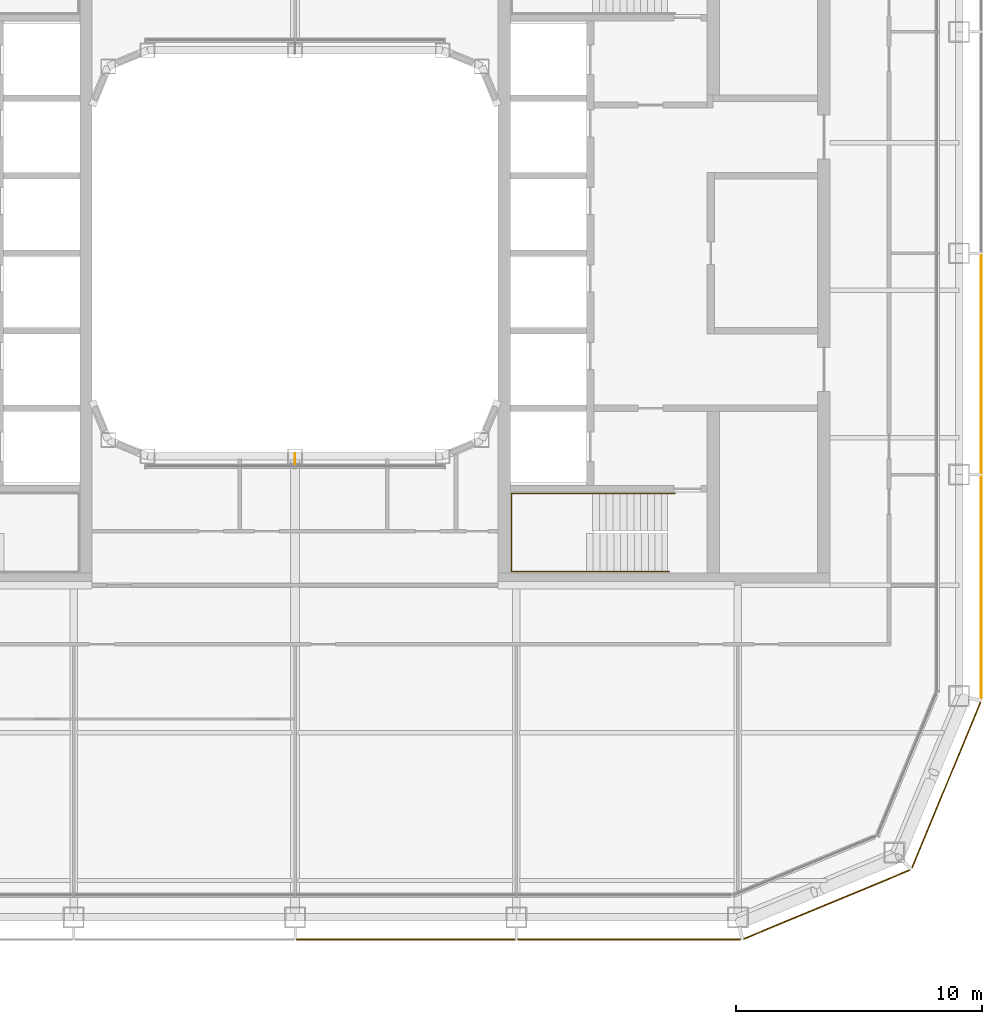
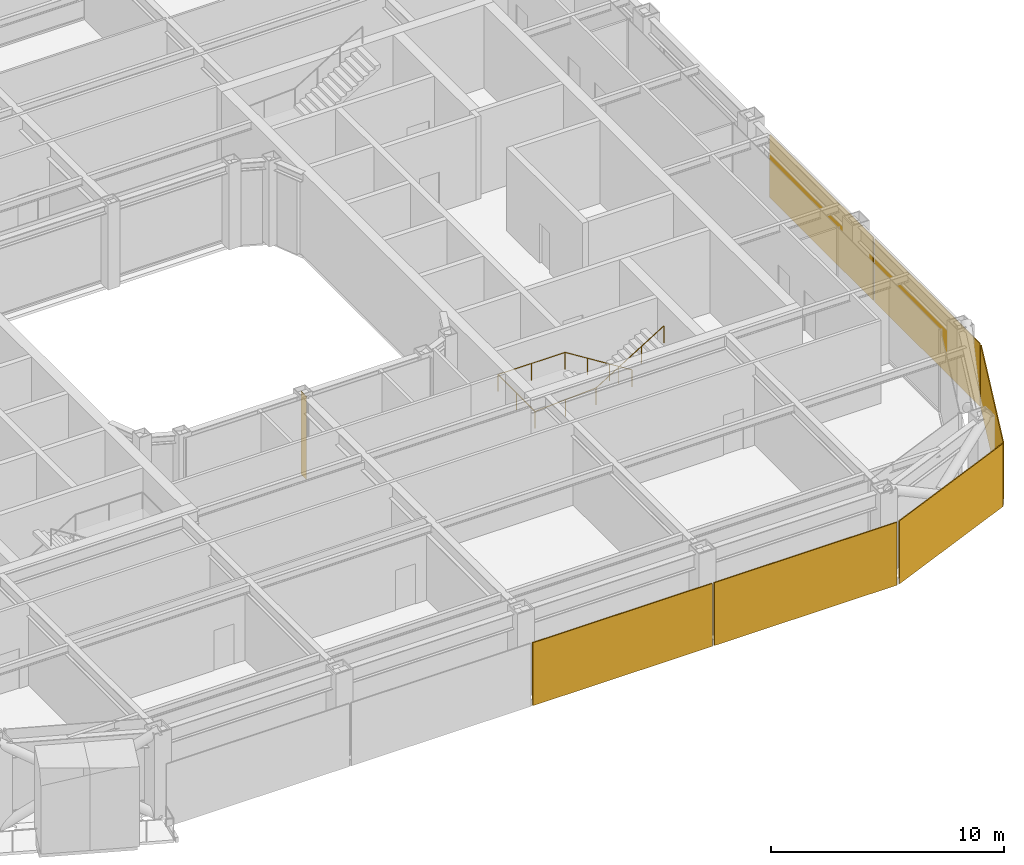
# One storey, part 21 of 24: 6 coverings, 1 railing, 1 shading device.
"""IFC4 building model written with IfcOpenShell, lengths in metres."""

from ifc_helpers import new_model, si_unit, direction, frame, origin, origin_2d, place, context, subcontext, project, spatial, rectangle, circle, extrude, material, layer, layer_set, type_object, element, save


model = new_model("IFC4")

# Units and contexts
model_context = context("Model", 3, precision=1e-05, world=origin(), true_north=direction((0.0, 1.0)))
body_context = subcontext(model_context, "Body", "Model", "MODEL_VIEW")
ifc_project = project(units=[si_unit("LENGTHUNIT", "METRE"), si_unit("AREAUNIT", "SQUARE_METRE"), si_unit("VOLUMEUNIT", "CUBIC_METRE"), si_unit("PLANEANGLEUNIT", "RADIAN"), si_unit("MASSUNIT", "GRAM", prefix="KILO")], contexts=[model_context])

# Site, building, storey
site_placement = place(None, origin())
site = spatial("IfcSite", under=ifc_project, at=site_placement, CompositionType="ELEMENT")
building_placement = place(site_placement, origin())
building = spatial("IfcBuilding", under=site, at=building_placement, Name="Siwar Civic Tower", CompositionType="ELEMENT")
storey_placement = place(building_placement, frame((0.0, 0.0, 215.199951171875)))
storey = spatial("IfcBuildingStorey", under=building, at=storey_placement, Name="L46", CompositionType="ELEMENT", Elevation=215.199951171875)

# Railing
ifc_material_1 = material(Name="Stainless steel", Category="steel")
railing_type = type_object("IfcRailingType", Name="CORE-STAIR-HANDRAIL", PredefinedType="HANDRAIL", material=ifc_material_1)
railing_placement = place(storey_placement, frame((15.449951171875, -9.758056640625, 0.173095703125)))
element("IfcRailing", 1, at=railing_placement, inside=storey, type_object=railing_type, Name="Stair handrail ST4", PredefinedType="HANDRAIL", context=body_context, shape_type="SweptSolid", body=[
    extrude(circle(Radius=0.02001953125, at=origin_2d()), frame((0.0, 0.0, 0.8798828125), z_axis=(-0.847063342986, 0.0, 0.531491950051), x_axis=(0.0, -1.0, 0.0)), (0.0, 0.0, 1.0), 3.90771484375),
    extrude(circle(Radius=0.02001953125, at=origin_2d()), frame((-3.31005859375, 0.0, 2.956787109375), z_axis=(-1.0, 0.0, 0.0), x_axis=(0.0, -1.0, 0.0)), (0.0, 0.0, 1.0), 3.331787109375),
    extrude(circle(Radius=0.02001953125, at=origin_2d()), frame((-6.641845703125, 0.0, 2.956787109375), z_axis=(0.0, -1.0, 0.0), x_axis=(1.0, 0.0, 0.0)), (0.0, 0.0, 1.0), 3.183837890625),
    extrude(circle(Radius=0.02001953125, at=origin_2d()), frame((-6.641845703125, -3.183837890625, 2.956787109375), z_axis=(0.99837434197, 0.0, 0.056997134106), x_axis=(0.0, 1.0, 0.0)), (0.0, 0.0, 1.0), 3.036865234375),
    extrude(circle(Radius=0.02001953125, at=origin_2d()), frame((-3.60986328125, -3.183837890625, 3.1298828125), z_axis=(0.850606129759, 0.0, 0.525803396734), x_axis=(0.0, 1.0, 0.0)), (0.0, 0.0, 1.0), 3.949951171875),
    extrude(circle(Radius=0.02001953125, at=origin_2d()), origin(), (0.0, 0.0, 1.0), 0.85986328125),
    extrude(circle(Radius=0.02001953125, at=origin_2d()), frame((-1.103271484375, 0.0, 0.6923828125)), (0.0, 0.0, 1.0), 0.85986328125),
    extrude(circle(Radius=0.02001953125, at=origin_2d()), frame((-2.206787109375, 0.0, 1.384521484375)), (0.0, 0.0, 1.0), 0.85986328125),
    extrude(circle(Radius=0.02001953125, at=origin_2d()), frame((-3.31005859375, 0.0, 2.076904296875)), (0.0, 0.0, 1.0), 0.85986328125),
    extrude(circle(Radius=0.02001953125, at=origin_2d()), frame((-4.97607421875, 0.0, 2.076904296875)), (0.0, 0.0, 1.0), 0.85986328125),
    extrude(circle(Radius=0.02001953125, at=origin_2d()), frame((-6.641845703125, 0.0, 2.076904296875)), (0.0, 0.0, 1.0), 0.85986328125),
    extrude(circle(Radius=0.02001953125, at=origin_2d()), frame((-6.641845703125, -1.591796875, 2.076904296875)), (0.0, 0.0, 1.0), 0.85986328125),
    extrude(circle(Radius=0.02001953125, at=origin_2d()), frame((-6.641845703125, -3.183837890625, 2.076904296875)), (0.0, 0.0, 1.0), 0.85986328125),
    extrude(circle(Radius=0.02001953125, at=origin_2d()), frame((-5.1259765625, -3.183837890625, 2.16357421875)), (0.0, 0.0, 1.0), 0.85986328125),
    extrude(circle(Radius=0.02001953125, at=origin_2d()), frame((-3.60986328125, -3.183837890625, 2.25)), (0.0, 0.0, 1.0), 0.85986328125),
    extrude(circle(Radius=0.02001953125, at=origin_2d()), frame((-2.489990234375, -3.183837890625, 2.9423828125)), (0.0, 0.0, 1.0), 0.85986328125),
    extrude(circle(Radius=0.02001953125, at=origin_2d()), frame((-1.369873046875, -3.183837890625, 3.634521484375)), (0.0, 0.0, 1.0), 0.85986328125),
    extrude(circle(Radius=0.02001953125, at=origin_2d()), frame((-0.25, -3.183837890625, 4.326904296875)), (0.0, 0.0, 1.0), 0.85986328125),
])

# Shading device
ifc_material_2 = material(Name="Aluminium 6063-T6", Category="aluminium")
ifc_layer_1 = layer(ifc_material_2, 0.02001953125)
ifc_layer_set_1 = layer_set([ifc_layer_1], Name="Aluminium 6063-T6")
shading_device_type = type_object("IfcShadingDeviceType", Name="ENV-FIN", PredefinedType="JALOUSIE", material=ifc_layer_set_1)
shading_device_placement = place(storey_placement, frame((0.0, -8.344970703125, 0.0), z_axis=(0.0, 0.0, 1.0), x_axis=(1.0, 0.0, 0.0)))
element("IfcShadingDevice", 2, at=shading_device_placement, inside=storey, type_object=shading_device_type, Name="SUNSHADE fin WS 1", PredefinedType="JALOUSIE", context=body_context, shape_type="SweptSolid", body=[
    extrude(rectangle(XDim=0.02001953125, YDim=0.449951171875, at=origin_2d()), origin(), (0.0, 0.0, 1.0), 4.35009765625),
])

# Coverings
ifc_material_3 = material(Name="Perforated aluminium cassette, pale metal", Category="aluminium")
ifc_layer_2 = layer(ifc_material_3, 0.0400390625)
ifc_layer_set_2 = layer_set([ifc_layer_2], Name="Perforated aluminium cassette, pale metal")
covering_type_1 = type_object("IfcCoveringType", Name="ENV-OUTER SKIN OS-1", PredefinedType="CLADDING", material=ifc_layer_set_2)
covering_1_placement = place(storey_placement, frame((27.89990234375, -13.57958984375, -0.14990234375), z_axis=(0.0, 0.0, 1.0), x_axis=(0.0, 1.0, 0.0)))
element("IfcCovering", 3, at=covering_1_placement, inside=storey, type_object=covering_type_1, Name="OUTER SKIN OS-1 E 1", PredefinedType="CLADDING", context=body_context, shape_type="SweptSolid", body=[
    extrude(rectangle(XDim=9.05908203125, YDim=0.0400390625, at=origin_2d()), origin(), (0.0, 0.0, 1.0), 3.300048828125),
])
covering_2_placement = place(storey_placement, frame((27.89990234375, -4.5, -0.14990234375), z_axis=(0.0, 0.0, 1.0), x_axis=(0.0, 1.0, 0.0)))
element("IfcCovering", 4, at=covering_2_placement, inside=storey, type_object=covering_type_1, Name="OUTER SKIN OS-1 E 2", PredefinedType="CLADDING", context=body_context, shape_type="SweptSolid", body=[
    extrude(rectangle(XDim=8.89990234375, YDim=0.0400390625, at=origin_2d()), origin(), (0.0, 0.0, 1.0), 3.300048828125),
])
ifc_material_4 = material(Name="Perforated aluminium cassette, pale metal", Category="aluminium")
ifc_layer_3 = layer(ifc_material_4, 0.044921875)
ifc_layer_set_3 = layer_set([ifc_layer_3], Name="Perforated aluminium cassette, pale metal")
covering_type_2 = type_object("IfcCoveringType", Name="ENV-OUTER SKIN OS-2", PredefinedType="CLADDING", material=ifc_layer_set_3)
covering_3_placement = place(storey_placement, frame((26.476318359375, -21.615966796875, -0.14990234375), z_axis=(0.0, 0.0, 1.0), x_axis=(0.382683432365, 0.923879532511, 0.0)))
element("IfcCovering", 5, at=covering_3_placement, inside=storey, type_object=covering_type_2, Name="OUTER SKIN OS-2 SE2 1", PredefinedType="CLADDING", context=body_context, shape_type="SweptSolid", body=[
    extrude(rectangle(XDim=7.300048828125, YDim=0.044921875, at=origin_2d()), origin(), (0.0, 0.0, 1.0), 3.300048828125),
])
ifc_material_5 = material(Name="Perforated aluminium cassette, pale metal", Category="aluminium")
ifc_layer_4 = layer(ifc_material_5, 0.050048828125)
ifc_layer_set_4 = layer_set([ifc_layer_4], Name="Perforated aluminium cassette, pale metal")
covering_type_3 = type_object("IfcCoveringType", Name="ENV-OUTER SKIN OS-3", PredefinedType="CLADDING", material=ifc_layer_set_4)
covering_4_placement = place(storey_placement, frame((21.615966796875, -26.476318359375, -0.14990234375), z_axis=(0.0, 0.0, 1.0), x_axis=(0.923879532511, 0.382683432365, 0.0)))
element("IfcCovering", 6, at=covering_4_placement, inside=storey, type_object=covering_type_3, Name="OUTER SKIN OS-3 SE1 1", PredefinedType="CLADDING", context=body_context, shape_type="SweptSolid", body=[
    extrude(rectangle(XDim=7.300048828125, YDim=0.050048828125, at=origin_2d()), origin(), (0.0, 0.0, 1.0), 3.300048828125),
])
ifc_material_6 = material(Name="Perforated aluminium cassette, pale metal", Category="aluminium")
ifc_layer_5 = layer(ifc_material_6, 0.054931640625)
ifc_layer_set_5 = layer_set([ifc_layer_5], Name="Perforated aluminium cassette, pale metal")
covering_type_4 = type_object("IfcCoveringType", Name="ENV-OUTER SKIN OS-4", PredefinedType="CLADDING", material=ifc_layer_set_5)
covering_5_placement = place(storey_placement, frame((4.5, -27.89990234375, -0.14990234375), z_axis=(0.0, 0.0, 1.0), x_axis=(1.0, 0.0, 0.0)))
element("IfcCovering", 7, at=covering_5_placement, inside=storey, type_object=covering_type_4, Name="OUTER SKIN OS-4 S 3", PredefinedType="CLADDING", context=body_context, shape_type="SweptSolid", body=[
    extrude(rectangle(XDim=8.89990234375, YDim=0.054931640625, at=origin_2d()), origin(), (0.0, 0.0, 1.0), 3.300048828125),
])
covering_6_placement = place(storey_placement, frame((13.57958984375, -27.89990234375, -0.14990234375), z_axis=(0.0, 0.0, 1.0), x_axis=(1.0, 0.0, 0.0)))
element("IfcCovering", 8, at=covering_6_placement, inside=storey, type_object=covering_type_4, Name="OUTER SKIN OS-4 S 4", PredefinedType="CLADDING", context=body_context, shape_type="SweptSolid", body=[
    extrude(rectangle(XDim=9.05908203125, YDim=0.054931640625, at=origin_2d()), origin(), (0.0, 0.0, 1.0), 3.300048828125),
])

save(model, "model.ifc")
